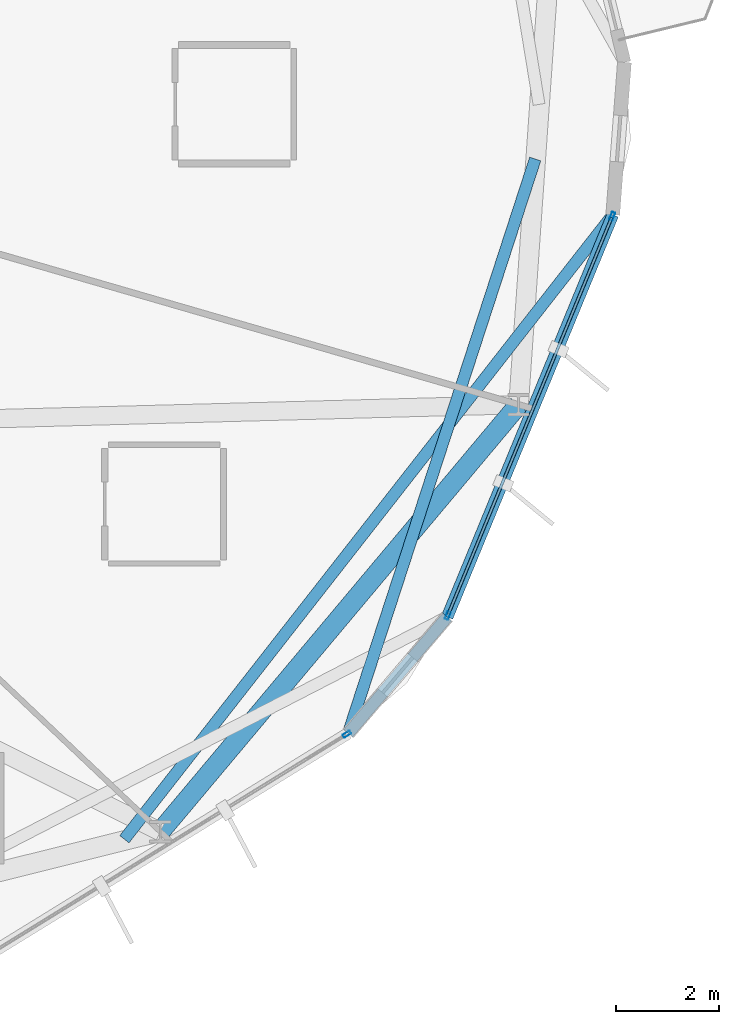
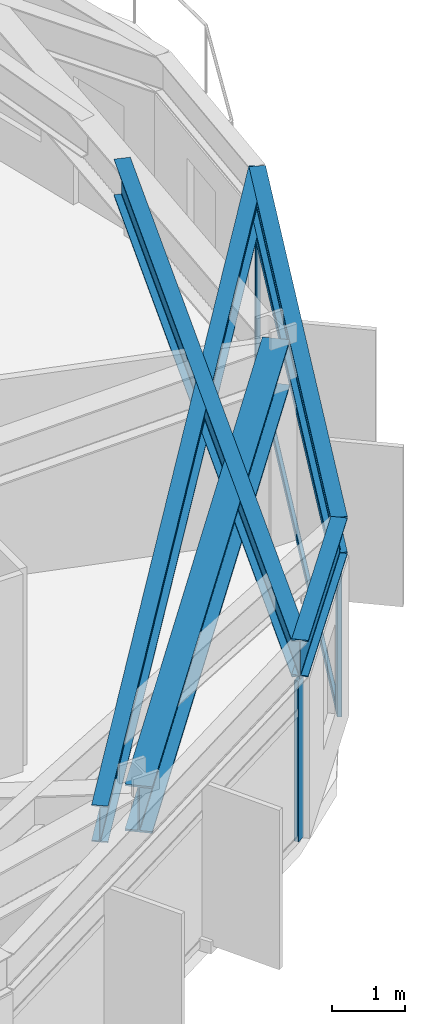
# One storey, part 8 of 21: 6 members, 5 beams, 2 elements without a shape of their own.
"""IFC4 building model written with IfcOpenShell, lengths in metres."""

from ifc_helpers import new_model, si_unit, direction, frame, origin, origin_2d, place, context, subcontext, project, spatial, hollow_rectangle, i_section, extrude, material, layer, layer_set, material_profile, profile_set, type_object, element, aggregate, save


model = new_model("IFC4")

# Units and contexts
model_context = context("Model", 3, precision=1e-05, world=origin(), true_north=direction((0.0, 1.0)))
body_context = subcontext(model_context, "Body", "Model", "MODEL_VIEW")
ifc_project = project(units=[si_unit("LENGTHUNIT", "METRE"), si_unit("AREAUNIT", "SQUARE_METRE"), si_unit("VOLUMEUNIT", "CUBIC_METRE"), si_unit("PLANEANGLEUNIT", "RADIAN"), si_unit("MASSUNIT", "GRAM", prefix="KILO")], contexts=[model_context])

# Site, building, storey
site_placement = place(None, origin())
site = spatial("IfcSite", under=ifc_project, at=site_placement, CompositionType="ELEMENT")
building_placement = place(site_placement, origin())
building = spatial("IfcBuilding", under=site, at=building_placement, Name="Soratama Intermodal Tower", CompositionType="ELEMENT")
storey_placement = place(building_placement, frame((0.0, 0.0, 149.800048828125)))
storey = spatial("IfcBuildingStorey", under=building, at=storey_placement, Name="L36", CompositionType="ELEMENT", Elevation=149.800048828125)

# Beams
ifc_material_1 = material(Name="Structural steel ASTM A992 Grade 50", Category="steel")
ifc_material_profile_1 = material_profile(ifc_material_1, i_section(OverallWidth=0.382080078125, OverallDepth=0.779052734375, WebThickness=0.01806640625, FlangeThickness=0.030029296875, FilletRadius=0.01806640625, at=origin_2d()), Name="W30X191")
ifc_profile_set_1 = profile_set([ifc_material_profile_1], Name="Structural steel ASTM A992 Grade 50")
beam_type_1 = type_object("IfcBeamType", Name="BM-RING-W30X191", PredefinedType="BEAM", material=ifc_profile_set_1)
beam_1_placement = place(storey_placement, frame((54.27392578125, 10.158935546875, 2.910400390625), z_axis=(0.642791781199, 0.766040942785, 0.0), x_axis=(-0.766040942785, 0.642791781199, 0.0)))
element("IfcBeam", 1, at=beam_1_placement, inside=storey, type_object=beam_type_1, Name="BM-L36-RING-09", PredefinedType="BEAM", context=body_context, shape_type="SweptSolid", body=[
    extrude(i_section(OverallWidth=0.382080078125, OverallDepth=0.779052734375, WebThickness=0.01806640625, FlangeThickness=0.030029296875, FilletRadius=0.01806640625, at=origin_2d()), origin(), (0.0, 0.0, 1.0), 10.815673828125),
])
ifc_material_2 = material(Name="Structural steel ASTM A992 Grade 50", Category="steel")
ifc_material_profile_2 = material_profile(ifc_material_2, i_section(OverallWidth=0.22900390625, OverallDepth=0.612060546875, WebThickness=0.011962890625, FlangeThickness=0.01953125, FilletRadius=0.012939453125, at=origin_2d()), Name="W24X84")
ifc_profile_set_2 = profile_set([ifc_material_profile_2], Name="Structural steel ASTM A992 Grade 50")
beam_type_2 = type_object("IfcBeamType", Name="BM-SPN-W24X84", PredefinedType="SPANDREL", material=ifc_profile_set_2)
beam_2_placement = place(storey_placement, frame((57.919921875, 12.06494140625, 2.993896484375), z_axis=(0.647865762409, 0.761754523386, 0.0), x_axis=(-0.761754523386, 0.647865762409, 0.0)))
element("IfcBeam", 2, at=beam_2_placement, inside=storey, type_object=beam_type_2, Name="BS-L36-CRN08", PredefinedType="SPANDREL", context=body_context, shape_type="SweptSolid", body=[
    extrude(i_section(OverallWidth=0.22900390625, OverallDepth=0.612060546875, WebThickness=0.011962890625, FlangeThickness=0.01953125, FilletRadius=0.012939453125, at=origin_2d()), origin(), (0.0, 0.0, 1.0), 2.966796875),
])
beam_3_placement = place(storey_placement, frame((59.842041015625, 14.324951171875, 2.993896484375), z_axis=(0.380797817066, 0.924658327447, 0.0), x_axis=(-0.924658327447, 0.380797817066, 0.0)))
element("IfcBeam", 3, at=beam_3_placement, inside=storey, type_object=beam_type_2, Name="BS-L36-F09", PredefinedType="SPANDREL", context=body_context, shape_type="SweptSolid", body=[
    extrude(i_section(OverallWidth=0.22900390625, OverallDepth=0.612060546875, WebThickness=0.011962890625, FlangeThickness=0.01953125, FilletRadius=0.012939453125, at=origin_2d()), origin(), (0.0, 0.0, 1.0), 8.43994140625),
])
ifc_material_3 = material(Name="Structural steel ASTM A992 Grade 50", Category="steel")
ifc_material_profile_3 = material_profile(ifc_material_3, i_section(OverallWidth=0.22900390625, OverallDepth=0.612060546875, WebThickness=0.011962890625, FlangeThickness=0.01953125, FilletRadius=0.012939453125, at=origin_2d()), Name="W24X84")
ifc_profile_set_3 = profile_set([ifc_material_profile_3], Name="Structural steel ASTM A992 Grade 50")
beam_type_3 = type_object("IfcBeamType", Name="BM-TIE-W24X84", PredefinedType="BEAM", material=ifc_profile_set_3)
beam_4_placement = place(storey_placement, frame((61.550048828125, 23.212890625, 2.993896484375), z_axis=(-0.309629395308, -0.950857317141, 0.0), x_axis=(0.950857317141, -0.309629395308, 0.0)))
element("IfcBeam", 4, at=beam_4_placement, inside=storey, type_object=beam_type_3, Name="BM-L36-TIE1-08", PredefinedType="BEAM", context=body_context, shape_type="SweptSolid", body=[
    extrude(i_section(OverallWidth=0.22900390625, OverallDepth=0.612060546875, WebThickness=0.011962890625, FlangeThickness=0.01953125, FilletRadius=0.012939453125, at=origin_2d()), origin(), (0.0, 0.0, 1.0), 11.72412109375),
])
beam_5_placement = place(storey_placement, frame((53.575927734375, 10.010986328125, 2.993896484375), z_axis=(0.616162777005, 0.787618836896, 0.0), x_axis=(-0.787618836896, 0.616162777005, 0.0)))
element("IfcBeam", 5, at=beam_5_placement, inside=storey, type_object=beam_type_3, Name="BM-L36-TIE1-09", PredefinedType="BEAM", context=body_context, shape_type="SweptSolid", body=[
    extrude(i_section(OverallWidth=0.22900390625, OverallDepth=0.612060546875, WebThickness=0.011962890625, FlangeThickness=0.01953125, FilletRadius=0.012939453125, at=origin_2d()), origin(), (0.0, 0.0, 1.0), 15.385498046875),
])

# Curtain wall, member
ifc_material_4 = material(Name="Double-glazed aluminium curtain wall", Category="aluminium")
ifc_layer = layer(ifc_material_4, 0.159912109375)
ifc_layer_set = layer_set([ifc_layer], Name="Double-glazed aluminium curtain wall")
curtain_wall_type = type_object("IfcCurtainWallType", Name="CW-SYS-4", PredefinedType="NOTDEFINED", material=ifc_layer_set)
curtain_wall_1_placement = place(storey_placement, origin())
curtain_wall_1 = element("IfcCurtainWall", 6, at=curtain_wall_1_placement, inside=storey, type_object=curtain_wall_type, Name="L36 Faceted Curtain Wall F08", PredefinedType="NOTDEFINED")
ifc_material_5 = material(Name="Anodised aluminium AA 6063-T6", Category="aluminium")
ifc_material_profile_4 = material_profile(ifc_material_5, hollow_rectangle(XDim=0.070068359375, YDim=0.159912109375, WallThickness=0.0048828125, InnerFilletRadius=0.0048828125, OuterFilletRadius=0.010009765625, at=origin_2d()), Name="CWM160X70X5")
ifc_profile_set_4 = profile_set([ifc_material_profile_4], Name="Anodised aluminium AA 6063-T6")
member_type_1 = type_object("IfcMemberType", Name="MT-CWM-4", PredefinedType="MULLION", material=ifc_profile_set_4)
member_1_placement = place(storey_placement, frame((57.894287109375, 12.049072265625, 0.0), z_axis=(0.0, 0.0, 1.0), x_axis=(-0.524276554696, 0.851548057479, 0.0)))
member_1 = element("IfcMember", 7, at=member_1_placement, type_object=member_type_1, Name="CW-4 mullion 2", PredefinedType="MULLION", context=body_context, shape_type="SweptSolid", body=[
    extrude(hollow_rectangle(XDim=0.070068359375, YDim=0.159912109375, WallThickness=0.0048828125, InnerFilletRadius=0.0048828125, OuterFilletRadius=0.010009765625, at=origin_2d()), origin(), (0.0, 0.0, 1.0), 2.678955078125),
])
aggregate(curtain_wall_1, [member_1])

# Curtain wall, members
curtain_wall_2_placement = place(storey_placement, origin())
curtain_wall_2 = element("IfcCurtainWall", 8, at=curtain_wall_2_placement, inside=storey, type_object=curtain_wall_type, Name="L36 Faceted Curtain Wall F09", PredefinedType="NOTDEFINED")
member_2_placement = place(storey_placement, frame((59.853271484375, 14.3525390625, 0.0), z_axis=(0.0, 0.0, 1.0), x_axis=(-0.924678098474, 0.380749805255, 0.0)))
member_2 = element("IfcMember", 9, at=member_2_placement, type_object=member_type_1, Name="CW-4 mullion 1", PredefinedType="MULLION", context=body_context, shape_type="SweptSolid", body=[
    extrude(hollow_rectangle(XDim=0.070068359375, YDim=0.159912109375, WallThickness=0.0048828125, InnerFilletRadius=0.0048828125, OuterFilletRadius=0.010009765625, at=origin_2d()), origin(), (0.0, 0.0, 1.0), 2.678955078125),
])
member_3_placement = place(storey_placement, frame((63.044189453125, 22.1015625, 0.0), z_axis=(0.0, 0.0, 1.0), x_axis=(-0.924678098474, 0.380749805255, 0.0)))
member_3 = element("IfcMember", 10, at=member_3_placement, type_object=member_type_1, Name="CW-4 mullion 2", PredefinedType="MULLION", context=body_context, shape_type="SweptSolid", body=[
    extrude(hollow_rectangle(XDim=0.070068359375, YDim=0.159912109375, WallThickness=0.0048828125, InnerFilletRadius=0.0048828125, OuterFilletRadius=0.010009765625, at=origin_2d()), origin(), (0.0, 0.0, 1.0), 2.678955078125),
])
ifc_material_6 = material(Name="Anodised aluminium AA 6063-T6", Category="aluminium")
ifc_material_profile_5 = material_profile(ifc_material_6, hollow_rectangle(XDim=0.06005859375, YDim=0.1298828125, WallThickness=0.0048828125, InnerFilletRadius=0.0048828125, OuterFilletRadius=0.010009765625, at=origin_2d()), Name="CWT130X60X5")
ifc_profile_set_5 = profile_set([ifc_material_profile_5], Name="Anodised aluminium AA 6063-T6")
member_type_2 = type_object("IfcMemberType", Name="TT-CWT-2", PredefinedType="USERDEFINED", material=ifc_profile_set_5)
member_4_placement = place(storey_placement, frame((59.86474609375, 14.380126953125, 0.030029296875), z_axis=(0.38074095057, 0.924681744472, 0.0), x_axis=(-0.924681744472, 0.38074095057, 0.0)))
member_4 = element("IfcMember", 11, at=member_4_placement, type_object=member_type_2, Name="CW-4 transom 1.1", ObjectType="TRANSOM", PredefinedType="USERDEFINED", context=body_context, shape_type="SweptSolid", body=[
    extrude(hollow_rectangle(XDim=0.06005859375, YDim=0.1298828125, WallThickness=0.0048828125, InnerFilletRadius=0.0048828125, OuterFilletRadius=0.010009765625, at=origin_2d()), origin(), (0.0, 0.0, 1.0), 8.320556640625),
])
member_5_placement = place(storey_placement, frame((59.86474609375, 14.380126953125, 2.14990234375), z_axis=(0.38074095057, 0.924681744472, 0.0), x_axis=(-0.924681744472, 0.38074095057, 0.0)))
member_5 = element("IfcMember", 12, at=member_5_placement, type_object=member_type_2, Name="CW-4 transom 1.2", ObjectType="TRANSOM", PredefinedType="USERDEFINED", context=body_context, shape_type="SweptSolid", body=[
    extrude(hollow_rectangle(XDim=0.06005859375, YDim=0.1298828125, WallThickness=0.0048828125, InnerFilletRadius=0.0048828125, OuterFilletRadius=0.010009765625, at=origin_2d()), origin(), (0.0, 0.0, 1.0), 8.320556640625),
])
member_6_placement = place(storey_placement, frame((59.86474609375, 14.380126953125, 2.64892578125), z_axis=(0.38074095057, 0.924681744472, 0.0), x_axis=(-0.924681744472, 0.38074095057, 0.0)))
member_6 = element("IfcMember", 13, at=member_6_placement, type_object=member_type_2, Name="CW-4 transom 1.3", ObjectType="TRANSOM", PredefinedType="USERDEFINED", context=body_context, shape_type="SweptSolid", body=[
    extrude(hollow_rectangle(XDim=0.06005859375, YDim=0.1298828125, WallThickness=0.0048828125, InnerFilletRadius=0.0048828125, OuterFilletRadius=0.010009765625, at=origin_2d()), origin(), (0.0, 0.0, 1.0), 8.320556640625),
])
aggregate(curtain_wall_2, [member_2, member_3, member_4, member_5, member_6])

save(model, "model.ifc")
